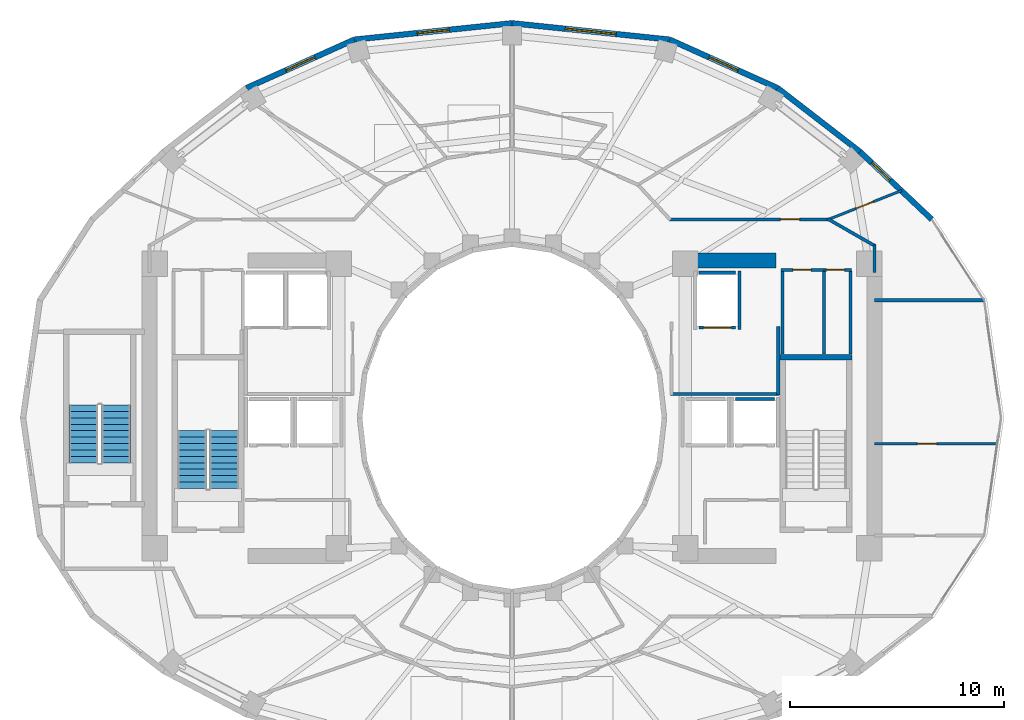
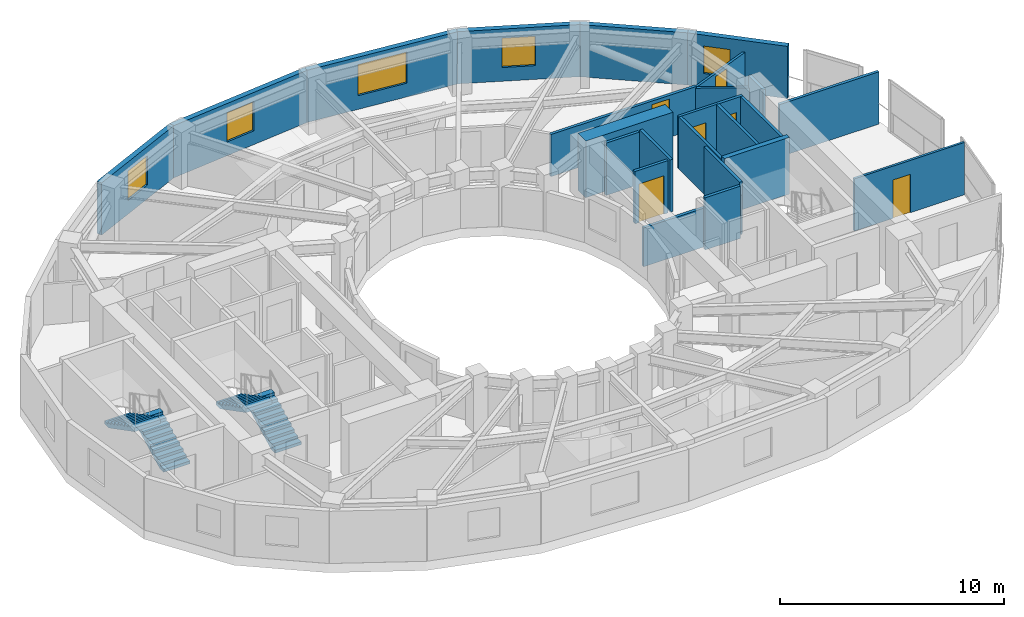
# One storey, part 9 of 13: 25 walls, 6 doors, 5 windows, 4 stair flights, 11 openings, 2 elements without a shape of their own.
"""IFC4 building model written with IfcOpenShell, lengths in metres."""

from ifc_helpers import new_model, si_unit, direction, frame, frame_2d, origin, place, context, subcontext, project, spatial, polyline, rectangle, outline, extrude, material, layer, layer_set, type_object, element, fill, aggregate, save


model = new_model("IFC4")

# Units and contexts
model_context = context("Model", 3, precision=1e-05, world=origin(), true_north=direction((0.0, 1.0)))
body_context = subcontext(model_context, "Body", "Model", "MODEL_VIEW")
ifc_project = project(units=[si_unit("LENGTHUNIT", "METRE"), si_unit("AREAUNIT", "SQUARE_METRE"), si_unit("VOLUMEUNIT", "CUBIC_METRE"), si_unit("PLANEANGLEUNIT", "RADIAN"), si_unit("MASSUNIT", "GRAM", prefix="KILO")], contexts=[model_context])

# Site, building, storey
site_placement = place(None, origin())
site = spatial("IfcSite", under=ifc_project, at=site_placement, CompositionType="ELEMENT")
building_placement = place(site_placement, origin())
building = spatial("IfcBuilding", under=site, at=building_placement, Name="Solvane Sanctuary Tower", CompositionType="ELEMENT")
storey_placement = place(building_placement, frame((0.0, 0.0, 152.89990234375)))
storey = spatial("IfcBuildingStorey", under=building, at=storey_placement, Name="L46", CompositionType="ELEMENT", Elevation=152.89990234375)

# Walls
ifc_material_1 = material(Name="Concrete C60/75", Category="concrete")
ifc_layer_1 = layer(ifc_material_1, 0.699951171875, Name="Concrete C60/75")
ifc_layer_set_1 = layer_set([ifc_layer_1], Name="Concrete C60/75")
wall_type_1 = type_object("IfcWallType", Name="Wall W-CORE-700", PredefinedType="SHEAR", material=ifc_layer_set_1)
wall_1_placement = place(storey_placement, frame((39.85009765625, 30.35009765625, 0.0), z_axis=(0.0, 0.0, 1.0), x_axis=(1.0, 0.0, 0.0)))
element("IfcWall", 1, at=wall_1_placement, inside=storey, type_object=wall_type_1, Name="L46 Core Shear Wall EC-N", PredefinedType="SHEAR", context=body_context, shape_type="SweptSolid", body=[
    extrude(rectangle(XDim=4.5, YDim=0.699951171875, at=frame_2d((2.25, 0.0))), origin(), (0.0, 0.0, 1.0), 3.10009765625),
])
ifc_material_2 = material(Name="Acoustic Gypsum Partition Board")
ifc_layer_2 = layer(ifc_material_2, 0.14990234375, Name="Acoustic Gypsum Partition Board")
ifc_layer_set_2 = layer_set([ifc_layer_2], Name="Acoustic Gypsum Partition Board")
wall_type_2 = type_object("IfcWallType", Name="Wall W-CORR-150", PredefinedType="PARTITIONING", material=ifc_layer_set_2)
wall_2_placement = place(storey_placement, frame((39.39990234375, 24.1201171875, 0.0), z_axis=(0.0, 0.0, 1.0), x_axis=(1.0, 0.0, 0.0)))
element("IfcWall", 2, at=wall_2_placement, inside=storey, type_object=wall_type_2, Name="L46 East Firefighting Lobby South Wall", PredefinedType="PARTITIONING", context=body_context, shape_type="SweptSolid", body=[
    extrude(rectangle(XDim=5.080078125, YDim=0.14990234375, at=frame_2d((2.5400390625, 0.0))), origin(), (0.0, 0.0, 1.0), 2.1201171875),
])
wall_3_placement = place(storey_placement, frame((44.449951171875, 24.080078125, 0.0), z_axis=(0.0, 0.0, 1.0), x_axis=(0.0, 1.0, 0.0)))
element("IfcWall", 3, at=wall_3_placement, inside=storey, type_object=wall_type_2, Name="L46 East Firefighting Lobby East Wall", PredefinedType="PARTITIONING", context=body_context, shape_type="SweptSolid", body=[
    extrude(rectangle(XDim=3.199951171875, YDim=0.14990234375, at=frame_2d((1.60009765625, 0.0))), origin(), (0.0, 0.0, 1.0), 2.85498046875),
])
wall_4_placement = place(storey_placement, frame((48.949951171875, 28.5029296875, 0.0), z_axis=(0.0, 0.0, 1.0), x_axis=(1.0, 0.0, 0.0)))
element("IfcWall", 4, at=wall_4_placement, inside=storey, type_object=wall_type_2, Name="L46 East Shoulder North Wall", PredefinedType="PARTITIONING", context=body_context, shape_type="SweptSolid", body=[
    extrude(rectangle(XDim=5.14013671875, YDim=0.14990234375, at=frame_2d((2.570068359375, 0.0))), origin(), (0.0, 0.0, 1.0), 2.85498046875),
])
wall_5_placement = place(storey_placement, frame((48.949951171875, 29.800048828125, 0.0), z_axis=(0.0, 0.0, 1.0), x_axis=(0.0, 1.0, 0.0)))
element("IfcWall", 5, at=wall_5_placement, inside=storey, type_object=wall_type_2, Name="L46 NE Corner Closer 1", PredefinedType="PARTITIONING", context=body_context, shape_type="SweptSolid", body=[
    extrude(rectangle(XDim=1.2900390625, YDim=0.14990234375, at=frame_2d((0.64501953125, 0.0))), origin(), (0.0, 0.0, 1.0), 2.85498046875),
])

# Wall, opening, door
wall_6_placement = place(storey_placement, frame((39.330078125, 32.280029296875, 0.0), z_axis=(0.0, 0.0, 1.0), x_axis=(1.0, 0.0, 0.0)))
wall_6 = element("IfcWall", 6, at=wall_6_placement, inside=storey, type_object=wall_type_2, Name="L46 NE Corner Corridor Wall", PredefinedType="PARTITIONING", context=body_context, shape_type="SweptSolid", body=[
    extrude(rectangle(XDim=7.52001953125, YDim=0.14990234375, at=frame_2d((3.760009765625, 0.0))), origin(), (0.0, 0.0, 1.0), 2.299072265625),
])
opening_1_placement = place(wall_6_placement, frame((5.219970703125, 0.0, 0.0)))
opening_1 = element("IfcOpeningElement", 7, at=opening_1_placement, cuts=wall_6, Name="Opening D-L46-15", PredefinedType="OPENING", context=body_context, shape_type="SweptSolid", body=[
    extrude(rectangle(XDim=0.89990234375, YDim=2.10009765625, at=frame_2d((0.449951171875, 1.050048828125))), frame((0.0, 0.0849609375, 0.0), z_axis=(0.0, -1.0, 0.0), x_axis=(1.0, 0.0, 0.0)), (0.0, 0.0, 1.0), 0.169921875),
])
ifc_material_3 = material(Name="Engineered Tropical Hardwood", Category="wood")
door_type_1 = type_object("IfcDoorType", Name="Door D-WET-900", OperationType="NOTDEFINED", PredefinedType="DOOR", material=ifc_material_3)
door_1_placement = place(opening_1_placement, origin())
door_1 = element("IfcDoor", 8, at=door_1_placement, inside=storey, type_object=door_type_1, Name="L46 NE Corner Salon Door", OperationType="SINGLE_SWING_LEFT", OverallHeight=2.10009765625, OverallWidth=0.89990234375, PredefinedType="DOOR", context=body_context, shape_type="SweptSolid", body=[
    extrude(rectangle(XDim=0.89990234375, YDim=2.10009765625, at=frame_2d((0.449951171875, 1.050048828125))), frame((0.0, 0.02490234375, 0.0), z_axis=(0.0, -1.0, 0.0), x_axis=(1.0, 0.0, 0.0)), (0.0, 0.0, 1.0), 0.050048828125),
])
fill(opening_1, door_1)

# Wall
wall_7_placement = place(storey_placement, frame((46.756591796875, 32.3046875, 0.0), z_axis=(0.0, 0.0, 1.0), x_axis=(0.867991349648, -0.496579315857, 0.0)))
element("IfcWall", 9, at=wall_7_placement, inside=storey, type_object=wall_type_2, Name="L46 NE Corner Wing Wall", PredefinedType="PARTITIONING", context=body_context, shape_type="SweptSolid", body=[
    extrude(rectangle(XDim=2.56689453125, YDim=0.14990234375, at=frame_2d((1.283447265625, 0.0))), origin(), (0.0, 0.0, 1.0), 2.22021484375),
])

# Wall, opening, window
ifc_material_4 = material(Name="Precast concrete C40/50", Category="concrete")
ifc_layer_3 = layer(ifc_material_4, 0.260009765625, Name="Precast concrete C40/50")
ifc_layer_set_3 = layer_set([ifc_layer_3], Name="Precast concrete C40/50")
wall_type_3 = type_object("IfcWallType", Name="Wall W-EXT-250", PredefinedType="STANDARD", material=ifc_layer_set_3)
wall_8_placement = place(storey_placement, frame((51.619140625, 32.28369140625, 0.0), z_axis=(0.0, 0.0, 1.0), x_axis=(-0.727667301037, 0.68593024354, 0.0)))
wall_8 = element("IfcWall", 10, at=wall_8_placement, inside=storey, type_object=wall_type_3, Name="L46 Ceramic-Printed Facade Wall 02", PredefinedType="STANDARD", context=body_context, shape_type="SweptSolid", body=[
    extrude(rectangle(XDim=4.603515625, YDim=0.260009765625, at=frame_2d((2.3017578125, 0.0))), origin(), (0.0, 0.0, 1.0), 2.85009765625),
])
opening_2_placement = place(wall_8_placement, frame((2.65185546875, 0.0, 0.75)))
opening_2 = element("IfcOpeningElement", 11, at=opening_2_placement, cuts=wall_8, Name="Opening WN-OPER-1200", PredefinedType="OPENING", context=body_context, shape_type="SweptSolid", body=[
    extrude(rectangle(XDim=1.199951171875, YDim=1.5, at=frame_2d((0.60009765625, 0.75))), frame((0.0, 0.139892578125, 0.0), z_axis=(0.0, -1.0, 0.0), x_axis=(1.0, 0.0, 0.0)), (0.0, 0.0, 1.0), 0.280029296875),
])
ifc_material_5 = material(Name="Dark Ceramic-Fritted Low-E Glass", Category="glass")
window_type_1 = type_object("IfcWindowType", Name="Window WN-OPER-1200", PartitioningType="SINGLE_PANEL", PredefinedType="WINDOW", material=ifc_material_5)
window_1_placement = place(opening_2_placement, origin())
window_1 = element("IfcWindow", 12, at=window_1_placement, inside=storey, type_object=window_type_1, Name="L46 Operable Facade Window 02", OverallHeight=1.5, OverallWidth=1.199951171875, PartitioningType="SINGLE_PANEL", PredefinedType="WINDOW", context=body_context, shape_type="SweptSolid", body=[
    extrude(rectangle(XDim=1.199951171875, YDim=1.5, at=frame_2d((0.60009765625, 0.75))), frame((0.0, 0.030029296875, 0.0), z_axis=(0.0, -1.0, 0.0), x_axis=(1.0, 0.0, 0.0)), (0.0, 0.0, 1.0), 0.06005859375),
])
fill(opening_2, window_1)

# Wall
wall_9_placement = place(storey_placement, frame((48.269287109375, 35.44140625, 0.0), z_axis=(0.0, 0.0, 1.0), x_axis=(-0.791460185804, 0.611220724687, 0.0)))
element("IfcWall", 13, at=wall_9_placement, inside=storey, type_object=wall_type_3, Name="L46 Ceramic-Printed Facade Wall 03", PredefinedType="STANDARD", context=body_context, shape_type="SweptSolid", body=[
    extrude(rectangle(XDim=4.872314453125, YDim=0.260009765625, at=frame_2d((2.43603515625, 0.0))), origin(), (0.0, 0.0, 1.0), 2.85009765625),
])

# Wall, opening, window
wall_10_placement = place(storey_placement, frame((44.4130859375, 38.41943359375, 0.0), z_axis=(0.0, 0.0, 1.0), x_axis=(-0.912353637112, 0.409403029847, 0.0)))
wall_10 = element("IfcWall", 14, at=wall_10_placement, inside=storey, type_object=wall_type_3, Name="L46 Ceramic-Printed Facade Wall 04", PredefinedType="STANDARD", context=body_context, shape_type="SweptSolid", body=[
    extrude(rectangle(XDim=5.53271484375, YDim=0.260009765625, at=frame_2d((2.766357421875, 0.0))), origin(), (0.0, 0.0, 1.0), 2.85009765625),
])
opening_3_placement = place(wall_10_placement, frame((2.016357421875, 0.0, 0.75)))
opening_3 = element("IfcOpeningElement", 15, at=opening_3_placement, cuts=wall_10, Name="Opening WN-OPER-1500", PredefinedType="OPENING", context=body_context, shape_type="SweptSolid", body=[
    extrude(rectangle(XDim=1.5, YDim=1.60009765625, at=frame_2d((0.75, 0.800048828125))), frame((0.0, 0.139892578125, 0.0), z_axis=(0.0, -1.0, 0.0), x_axis=(1.0, 0.0, 0.0)), (0.0, 0.0, 1.0), 0.280029296875),
])
window_type_2 = type_object("IfcWindowType", Name="Window WN-OPER-1500", PartitioningType="SINGLE_PANEL", PredefinedType="WINDOW", material=ifc_material_5)
window_2_placement = place(opening_3_placement, origin())
window_2 = element("IfcWindow", 16, at=window_2_placement, inside=storey, type_object=window_type_2, Name="L46 Operable Facade Window 04", OverallHeight=1.60009765625, OverallWidth=1.5, PartitioningType="SINGLE_PANEL", PredefinedType="WINDOW", context=body_context, shape_type="SweptSolid", body=[
    extrude(rectangle(XDim=1.5, YDim=1.60009765625, at=frame_2d((0.75, 0.800048828125))), frame((0.0, 0.030029296875, 0.0), z_axis=(0.0, -1.0, 0.0), x_axis=(1.0, 0.0, 0.0)), (0.0, 0.0, 1.0), 0.06005859375),
])
fill(opening_3, window_2)

wall_11_placement = place(storey_placement, frame((39.365234375, 40.6845703125, 0.0), z_axis=(0.0, 0.0, 1.0), x_axis=(-0.994664178965, 0.10316574569, 0.0)))
wall_11 = element("IfcWall", 17, at=wall_11_placement, inside=storey, type_object=wall_type_3, Name="L46 Ceramic-Printed Facade Wall 05", PredefinedType="STANDARD", context=body_context, shape_type="SweptSolid", body=[
    extrude(rectangle(XDim=7.40478515625, YDim=0.260009765625, at=frame_2d((3.702392578125, 0.0))), origin(), (0.0, 0.0, 1.0), 2.85009765625),
])
opening_4_placement = place(wall_11_placement, frame((2.50244140625, 0.0, 0.75)))
opening_4 = element("IfcOpeningElement", 18, at=opening_4_placement, cuts=wall_11, Name="Opening WN-RIB-2400", PredefinedType="OPENING", context=body_context, shape_type="SweptSolid", body=[
    extrude(rectangle(XDim=2.39990234375, YDim=1.699951171875, at=frame_2d((1.199951171875, 0.85009765625))), frame((0.0, 0.139892578125, 0.0), z_axis=(0.0, -1.0, 0.0), x_axis=(1.0, 0.0, 0.0)), (0.0, 0.0, 1.0), 0.280029296875),
])
window_type_3 = type_object("IfcWindowType", Name="Window WN-RIB-2400", PartitioningType="SINGLE_PANEL", PredefinedType="WINDOW", material=ifc_material_5)
window_3_placement = place(opening_4_placement, origin())
window_3 = element("IfcWindow", 19, at=window_3_placement, inside=storey, type_object=window_type_3, Name="L46 Operable Facade Window 05", OverallHeight=1.699951171875, OverallWidth=2.39990234375, PartitioningType="SINGLE_PANEL", PredefinedType="WINDOW", context=body_context, shape_type="SweptSolid", body=[
    extrude(rectangle(XDim=2.39990234375, YDim=1.699951171875, at=frame_2d((1.199951171875, 0.85009765625))), frame((0.0, 0.030029296875, 0.0), z_axis=(0.0, -1.0, 0.0), x_axis=(1.0, 0.0, 0.0)), (0.0, 0.0, 1.0), 0.06005859375),
])
fill(opening_4, window_3)

wall_12_placement = place(storey_placement, frame((32.0, 41.448486328125, 0.0), z_axis=(0.0, 0.0, 1.0), x_axis=(-0.994664178965, -0.10316574569, 0.0)))
wall_12 = element("IfcWall", 20, at=wall_12_placement, inside=storey, type_object=wall_type_3, Name="L46 Ceramic-Printed Facade Wall 06", PredefinedType="STANDARD", context=body_context, shape_type="SweptSolid", body=[
    extrude(rectangle(XDim=7.40478515625, YDim=0.260009765625, at=frame_2d((3.702392578125, 0.0))), origin(), (0.0, 0.0, 1.0), 2.85009765625),
])
opening_5_placement = place(wall_12_placement, frame((2.952392578125, 0.0, 0.75)))
opening_5 = element("IfcOpeningElement", 21, at=opening_5_placement, cuts=wall_12, Name="Opening WN-OPER-1500", PredefinedType="OPENING", context=body_context, shape_type="SweptSolid", body=[
    extrude(rectangle(XDim=1.5, YDim=1.60009765625, at=frame_2d((0.75, 0.800048828125))), frame((0.0, 0.139892578125, 0.0), z_axis=(0.0, -1.0, 0.0), x_axis=(1.0, 0.0, 0.0)), (0.0, 0.0, 1.0), 0.280029296875),
])
window_4_placement = place(opening_5_placement, origin())
window_4 = element("IfcWindow", 22, at=window_4_placement, inside=storey, type_object=window_type_2, Name="L46 Operable Facade Window 06", OverallHeight=1.60009765625, OverallWidth=1.5, PartitioningType="SINGLE_PANEL", PredefinedType="WINDOW", context=body_context, shape_type="SweptSolid", body=[
    extrude(rectangle(XDim=1.5, YDim=1.60009765625, at=frame_2d((0.75, 0.800048828125))), frame((0.0, 0.030029296875, 0.0), z_axis=(0.0, -1.0, 0.0), x_axis=(1.0, 0.0, 0.0)), (0.0, 0.0, 1.0), 0.06005859375),
])
fill(opening_5, window_4)

wall_13_placement = place(storey_placement, frame((24.634765625, 40.6845703125, 0.0), z_axis=(0.0, 0.0, 1.0), x_axis=(-0.912353637112, -0.409403029847, 0.0)))
wall_13 = element("IfcWall", 23, at=wall_13_placement, inside=storey, type_object=wall_type_3, Name="L46 Ceramic-Printed Facade Wall 07", PredefinedType="STANDARD", context=body_context, shape_type="SweptSolid", body=[
    extrude(rectangle(XDim=5.53271484375, YDim=0.260009765625, at=frame_2d((2.766357421875, 0.0))), origin(), (0.0, 0.0, 1.0), 2.85009765625),
])
opening_6_placement = place(wall_13_placement, frame((2.016357421875, 0.0, 0.75)))
opening_6 = element("IfcOpeningElement", 24, at=opening_6_placement, cuts=wall_13, Name="Opening WN-OPER-1500", PredefinedType="OPENING", context=body_context, shape_type="SweptSolid", body=[
    extrude(rectangle(XDim=1.5, YDim=1.60009765625, at=frame_2d((0.75, 0.800048828125))), frame((0.0, 0.139892578125, 0.0), z_axis=(0.0, -1.0, 0.0), x_axis=(1.0, 0.0, 0.0)), (0.0, 0.0, 1.0), 0.280029296875),
])
window_5_placement = place(opening_6_placement, origin())
window_5 = element("IfcWindow", 25, at=window_5_placement, inside=storey, type_object=window_type_2, Name="L46 Operable Facade Window 07", OverallHeight=1.60009765625, OverallWidth=1.5, PartitioningType="SINGLE_PANEL", PredefinedType="WINDOW", context=body_context, shape_type="SweptSolid", body=[
    extrude(rectangle(XDim=1.5, YDim=1.60009765625, at=frame_2d((0.75, 0.800048828125))), frame((0.0, 0.030029296875, 0.0), z_axis=(0.0, -1.0, 0.0), x_axis=(1.0, 0.0, 0.0)), (0.0, 0.0, 1.0), 0.06005859375),
])
fill(opening_6, window_5)

# Wall, opening, door
ifc_layer_4 = layer(ifc_material_2, 0.1201171875, Name="Acoustic Gypsum Partition Board")
ifc_layer_set_4 = layer_set([ifc_layer_4], Name="Acoustic Gypsum Partition Board")
wall_type_4 = type_object("IfcWallType", Name="Wall W-MOV-100", PredefinedType="MOVABLE", material=ifc_layer_set_4)
wall_14_placement = place(storey_placement, frame((48.949951171875, 21.800048828125, 0.0), z_axis=(0.0, 0.0, 1.0), x_axis=(1.0, 0.0, 0.0)))
wall_14 = element("IfcWall", 26, at=wall_14_placement, inside=storey, type_object=wall_type_4, Name="L46 East Suite Partition", PredefinedType="MOVABLE", context=body_context, shape_type="SweptSolid", body=[
    extrude(rectangle(XDim=5.69775390625, YDim=0.1201171875, at=frame_2d((2.848876953125, 0.0))), origin(), (0.0, 0.0, 1.0), 2.85498046875),
])
opening_7_placement = place(wall_14_placement, frame((2.0, 0.0, 0.0)))
opening_7 = element("IfcOpeningElement", 27, at=opening_7_placement, cuts=wall_14, Name="Opening D-L46-13", PredefinedType="OPENING", context=body_context, shape_type="SweptSolid", body=[
    extrude(rectangle(XDim=0.89990234375, YDim=2.10009765625, at=frame_2d((0.449951171875, 1.050048828125))), frame((0.0, 0.070068359375, 0.0), z_axis=(0.0, -1.0, 0.0), x_axis=(1.0, 0.0, 0.0)), (0.0, 0.0, 1.0), 0.14013671875),
])
door_2_placement = place(opening_7_placement, origin())
door_2 = element("IfcDoor", 28, at=door_2_placement, inside=storey, type_object=door_type_1, Name="L46 East Suite Internal Door", OperationType="SINGLE_SWING_LEFT", OverallHeight=2.10009765625, OverallWidth=0.89990234375, PredefinedType="DOOR", context=body_context, shape_type="SweptSolid", body=[
    extrude(rectangle(XDim=0.89990234375, YDim=2.10009765625, at=frame_2d((0.449951171875, 1.050048828125))), frame((0.0, 0.02490234375, 0.0), z_axis=(0.0, -1.0, 0.0), x_axis=(1.0, 0.0, 0.0)), (0.0, 0.0, 1.0), 0.050048828125),
])
fill(opening_7, door_2)

wall_15_placement = place(storey_placement, frame((46.75341796875, 32.26171875, 0.0), z_axis=(0.0, 0.0, 1.0), x_axis=(0.930204027108, 0.367042869367, 0.0)))
wall_15 = element("IfcWall", 29, at=wall_15_placement, inside=storey, type_object=wall_type_4, Name="L46 NE Corner Suite Partition", PredefinedType="MOVABLE", context=body_context, shape_type="SweptSolid", body=[
    extrude(rectangle(XDim=3.73095703125, YDim=0.1201171875, at=frame_2d((1.865478515625, 0.0))), origin(), (0.0, 0.0, 1.0), 2.22021484375),
])
opening_8_placement = place(wall_15_placement, frame((1.4404296875, 0.0, 0.0)))
opening_8 = element("IfcOpeningElement", 30, at=opening_8_placement, cuts=wall_15, Name="Opening D-L46-14", PredefinedType="OPENING", context=body_context, shape_type="SweptSolid", body=[
    extrude(rectangle(XDim=0.85009765625, YDim=2.050048828125, at=frame_2d((0.425048828125, 1.02490234375))), frame((0.0, 0.070068359375, 0.0), z_axis=(0.0, -1.0, 0.0), x_axis=(1.0, 0.0, 0.0)), (0.0, 0.0, 1.0), 0.14013671875),
])
ifc_material_6 = material(Name="Architectural Stainless Steel 316", Category="steel")
door_type_2 = type_object("IfcDoorType", Name="Door D-RISER", OperationType="NOTDEFINED", PredefinedType="DOOR", material=ifc_material_6)
door_3_placement = place(opening_8_placement, origin())
door_3 = element("IfcDoor", 31, at=door_3_placement, inside=storey, type_object=door_type_2, Name="L46 NE Corner Suite Door", OperationType="SINGLE_SWING_RIGHT", OverallHeight=2.050048828125, OverallWidth=0.85009765625, PredefinedType="DOOR", context=body_context, shape_type="SweptSolid", body=[
    extrude(rectangle(XDim=0.85009765625, YDim=2.050048828125, at=frame_2d((0.425048828125, 1.02490234375))), frame((0.0, 0.02490234375, 0.0), z_axis=(0.0, -1.0, 0.0), x_axis=(1.0, 0.0, 0.0)), (0.0, 0.0, 1.0), 0.050048828125),
])
fill(opening_8, door_3)

# Wall
ifc_material_7 = material(Name="Concrete C50/60", Category="concrete")
ifc_layer_5 = layer(ifc_material_7, 0.14990234375, Name="Concrete C50/60")
ifc_layer_set_5 = layer_set([ifc_layer_5], Name="Concrete C50/60")
wall_type_5 = type_object("IfcWallType", Name="Wall W-SHAFT-150", PredefinedType="SOLIDWALL", material=ifc_layer_set_5)
wall_16_placement = place(storey_placement, frame((42.43994140625, 23.8798828125, 0.0), z_axis=(0.0, 0.0, 1.0), x_axis=(1.0, 0.0, 0.0)))
element("IfcWall", 32, at=wall_16_placement, inside=storey, type_object=wall_type_5, Name="L46 PM-2 Lift Shaft Wall B", PredefinedType="SOLIDWALL", context=body_context, shape_type="SweptSolid", body=[
    extrude(rectangle(XDim=1.820068359375, YDim=0.14990234375, at=frame_2d((0.91015625, 0.0))), origin(), (0.0, 0.0, 1.0), 2.85498046875),
])

# Wall, opening, door
wall_17_placement = place(storey_placement, frame((40.739990234375, 27.219970703125, 0.0), z_axis=(0.0, 0.0, 1.0), x_axis=(1.0, 0.0, 0.0)))
wall_17 = element("IfcWall", 33, at=wall_17_placement, inside=storey, type_object=wall_type_5, Name="L46 FFL-2 Lift Shaft Wall F", PredefinedType="SOLIDWALL", context=body_context, shape_type="SweptSolid", body=[
    extrude(rectangle(XDim=1.719970703125, YDim=0.14990234375, at=frame_2d((0.85986328125, 0.0))), origin(), (0.0, 0.0, 1.0), 2.85498046875),
])
opening_9_placement = place(wall_17_placement, frame((0.2099609375, 0.0, 0.0)))
opening_9 = element("IfcOpeningElement", 34, at=opening_9_placement, cuts=wall_17, Name="Opening LD-L46-05", PredefinedType="OPENING", context=body_context, shape_type="SweptSolid", body=[
    extrude(rectangle(XDim=1.300048828125, YDim=2.10009765625, at=frame_2d((0.64990234375, 1.050048828125))), frame((0.0, 0.0849609375, 0.0), z_axis=(0.0, -1.0, 0.0), x_axis=(1.0, 0.0, 0.0)), (0.0, 0.0, 1.0), 0.169921875),
])
door_type_3 = type_object("IfcDoorType", Name="Door LD-FFL-1300", OperationType="NOTDEFINED", PredefinedType="DOOR", material=ifc_material_6)
door_4_placement = place(opening_9_placement, origin())
door_4 = element("IfcDoor", 35, at=door_4_placement, inside=storey, type_object=door_type_3, Name="L46 FFL-2 Lift Landing Door", OperationType="DOUBLE_DOOR_SLIDING", OverallHeight=2.10009765625, OverallWidth=1.300048828125, PredefinedType="DOOR", context=body_context, shape_type="SweptSolid", body=[
    extrude(rectangle(XDim=1.300048828125, YDim=2.10009765625, at=frame_2d((0.64990234375, 1.050048828125))), frame((0.0, 0.02490234375, 0.0), z_axis=(0.0, -1.0, 0.0), x_axis=(1.0, 0.0, 0.0)), (0.0, 0.0, 1.0), 0.050048828125),
])
fill(opening_9, door_4)

# Walls
wall_18_placement = place(storey_placement, frame((40.739990234375, 29.780029296875, 0.0), z_axis=(0.0, 0.0, 1.0), x_axis=(1.0, 0.0, 0.0)))
element("IfcWall", 36, at=wall_18_placement, inside=storey, type_object=wall_type_5, Name="L46 FFL-2 Lift Shaft Wall B", PredefinedType="SOLIDWALL", context=body_context, shape_type="SweptSolid", body=[
    extrude(rectangle(XDim=1.719970703125, YDim=0.14990234375, at=frame_2d((0.85986328125, 0.0))), origin(), (0.0, 0.0, 1.0), 2.85498046875),
])
wall_19_placement = place(storey_placement, frame((42.6298828125, 27.139892578125, 0.0), z_axis=(0.0, 0.0, 1.0), x_axis=(0.0, 1.0, 0.0)))
element("IfcWall", 37, at=wall_19_placement, inside=storey, type_object=wall_type_5, Name="L46 FFL-2 Lift Shaft Wall S2", PredefinedType="SOLIDWALL", context=body_context, shape_type="SweptSolid", body=[
    extrude(rectangle(XDim=2.72021484375, YDim=0.14990234375, at=frame_2d((1.360107421875, 0.0))), origin(), (0.0, 0.0, 1.0), 2.85498046875),
])
ifc_layer_6 = layer(ifc_material_7, 0.25, Name="Concrete C50/60")
ifc_layer_set_6 = layer_set([ifc_layer_6], Name="Concrete C50/60")
wall_type_6 = type_object("IfcWallType", Name="Wall W-SHAFT-250", PredefinedType="SOLIDWALL", material=ifc_layer_set_6)
wall_20_placement = place(storey_placement, frame((44.52490234375, 25.830078125, 0.0), z_axis=(0.0, 0.0, 1.0), x_axis=(1.0, 0.0, 0.0)))
element("IfcWall", 38, at=wall_20_placement, inside=storey, type_object=wall_type_6, Name="L46 ST-2 Load-Bearing Shaft Wall N", PredefinedType="SOLIDWALL", context=body_context, shape_type="SweptSolid", body=[
    extrude(rectangle(XDim=3.3701171875, YDim=0.25, at=frame_2d((1.68505859375, 0.0))), origin(), (0.0, 0.0, 1.0), 3.10009765625),
])

# Wall, opening, door
ifc_layer_7 = layer(ifc_material_2, 0.139892578125, Name="Acoustic Gypsum Partition Board")
ifc_layer_set_7 = layer_set([ifc_layer_7], Name="Acoustic Gypsum Partition Board")
wall_type_7 = type_object("IfcWallType", Name="Wall W-WET-140", PredefinedType="PLUMBINGWALL", material=ifc_layer_set_7)
wall_21_placement = place(storey_placement, frame((44.580078125, 29.919921875, 0.0), z_axis=(0.0, 0.0, 1.0), x_axis=(1.0, 0.0, 0.0)))
wall_21 = element("IfcWall", 39, at=wall_21_placement, inside=storey, type_object=wall_type_7, Name="L46 Core Service Front Wall KE1", PredefinedType="PLUMBINGWALL", context=body_context, shape_type="SweptSolid", body=[
    extrude(rectangle(XDim=2.0, YDim=0.139892578125, at=frame_2d((1.0, 0.0))), origin(), (0.0, 0.0, 1.0), 2.85498046875),
])
opening_10_placement = place(wall_21_placement, frame((0.550048828125, 0.0, 0.0)))
opening_10 = element("IfcOpeningElement", 40, at=opening_10_placement, cuts=wall_21, Name="Opening D-L46-10", PredefinedType="OPENING", context=body_context, shape_type="SweptSolid", body=[
    extrude(rectangle(XDim=0.85009765625, YDim=2.050048828125, at=frame_2d((0.425048828125, 1.02490234375))), frame((0.0, 0.079833984375, 0.0), z_axis=(0.0, -1.0, 0.0), x_axis=(1.0, 0.0, 0.0)), (0.0, 0.0, 1.0), 0.159912109375),
])
door_5_placement = place(opening_10_placement, origin())
door_5 = element("IfcDoor", 41, at=door_5_placement, inside=storey, type_object=door_type_2, Name="L46 Core Service Room Door KE1-1", OperationType="SINGLE_SWING_RIGHT", OverallHeight=2.050048828125, OverallWidth=0.85009765625, PredefinedType="DOOR", context=body_context, shape_type="SweptSolid", body=[
    extrude(rectangle(XDim=0.85009765625, YDim=2.050048828125, at=frame_2d((0.425048828125, 1.02490234375))), frame((0.0, 0.02490234375, 0.0), z_axis=(0.0, -1.0, 0.0), x_axis=(1.0, 0.0, 0.0)), (0.0, 0.0, 1.0), 0.050048828125),
])
fill(opening_10, door_5)

# Walls
for number, where, z_axis, x_axis, name in (
    (42, (44.639892578125, 25.97998046875, 0.0), (0.0, 0.0, 1.0), (0.0, 1.0, 0.0), "L46 Core Service Side Wall KE1-1"),
    (43, (46.580078125, 25.97998046875, 0.0), (0.0, 0.0, 1.0), (0.0, 1.0, 0.0), "L46 Core Service Side Wall KE1-2"),
):
    element("IfcWall", number, at=place(storey_placement, frame(where, z_axis=z_axis, x_axis=x_axis)), inside=storey, type_object=wall_type_7, Name=name, PredefinedType="PLUMBINGWALL", context=body_context, shape_type="SweptSolid", body=[
        extrude(rectangle(XDim=3.880126953125, YDim=0.139892578125, at=frame_2d((1.93994140625, 0.0))), origin(), (0.0, 0.0, 1.0), 2.85498046875),
    ])

# Wall, opening, door
wall_22_placement = place(storey_placement, frame((46.580078125, 29.919921875, 0.0), z_axis=(0.0, 0.0, 1.0), x_axis=(1.0, 0.0, 0.0)))
wall_22 = element("IfcWall", 44, at=wall_22_placement, inside=storey, type_object=wall_type_7, Name="L46 Core Service Front Wall KE2", PredefinedType="PLUMBINGWALL", context=body_context, shape_type="SweptSolid", body=[
    extrude(rectangle(XDim=1.2998046875, YDim=0.139892578125, at=frame_2d((0.64990234375, 0.0))), origin(), (0.0, 0.0, 1.0), 2.85498046875),
])
opening_11_placement = place(wall_22_placement, frame((0.1201171875, 0.0, 0.0)))
opening_11 = element("IfcOpeningElement", 45, at=opening_11_placement, cuts=wall_22, Name="Opening D-L46-11", PredefinedType="OPENING", context=body_context, shape_type="SweptSolid", body=[
    extrude(rectangle(XDim=0.85009765625, YDim=2.050048828125, at=frame_2d((0.425048828125, 1.02490234375))), frame((0.0, 0.079833984375, 0.0), z_axis=(0.0, -1.0, 0.0), x_axis=(1.0, 0.0, 0.0)), (0.0, 0.0, 1.0), 0.159912109375),
])
door_6_placement = place(opening_11_placement, origin())
door_6 = element("IfcDoor", 46, at=door_6_placement, inside=storey, type_object=door_type_2, Name="L46 Core Service Room Door KE2-1", OperationType="SINGLE_SWING_LEFT", OverallHeight=2.050048828125, OverallWidth=0.85009765625, PredefinedType="DOOR", context=body_context, shape_type="SweptSolid", body=[
    extrude(rectangle(XDim=0.85009765625, YDim=2.050048828125, at=frame_2d((0.425048828125, 1.02490234375))), frame((0.0, 0.02490234375, 0.0), z_axis=(0.0, -1.0, 0.0), x_axis=(1.0, 0.0, 0.0)), (0.0, 0.0, 1.0), 0.050048828125),
])
fill(opening_11, door_6)

# Wall
wall_23_placement = place(storey_placement, frame((47.820068359375, 25.97998046875, 0.0), z_axis=(0.0, 0.0, 1.0), x_axis=(0.0, 1.0, 0.0)))
element("IfcWall", 47, at=wall_23_placement, inside=storey, type_object=wall_type_7, Name="L46 Core Service Side Wall KE2-1", PredefinedType="PLUMBINGWALL", context=body_context, shape_type="SweptSolid", body=[
    extrude(rectangle(XDim=3.880126953125, YDim=0.139892578125, at=frame_2d((1.93994140625, 0.0))), origin(), (0.0, 0.0, 1.0), 2.85498046875),
])

# Stair, stair flights
ifc_material_8 = material(Name="Concrete C45/55", Category="concrete")
stair_type = type_object("IfcStairType", Name="Stair ST-TOW", PredefinedType="HALF_TURN_STAIR", material=ifc_material_8)
stair_1_placement = place(storey_placement, origin())
stair_1 = element("IfcStair", 48, at=stair_1_placement, inside=storey, type_object=stair_type, Name="L46 Exit Stair ST-1 West Core", PredefinedType="HALF_TURN_STAIR")
stair_flight_type = type_object("IfcStairFlightType", Name="StairFlight SF-TOW", PredefinedType="STRAIGHT", material=ifc_material_8)
stair_flight_1_placement = place(storey_placement, frame((18.544921875, 19.699951171875, 0.0), z_axis=(0.0, 0.0, 1.0), x_axis=(0.0, 1.0, 0.0)))
stair_flight_1 = element("IfcStairFlight", 49, at=stair_flight_1_placement, type_object=stair_flight_type, Name="ST-1 flight 1", NumberOfRisers=10, NumberOfTreads=9, PredefinedType="STRAIGHT", RiserHeight=0.155, TreadLength=0.3, context=body_context, shape_type="SweptSolid", body=[
    extrude(outline(polyline([(0.0, 0.0), (0.0, 0.155029296875), (0.300048828125, 0.155029296875), (0.300048828125, 0.31005859375), (0.60009765625, 0.31005859375), (0.60009765625, 0.465087890625), (0.89990234375, 0.465087890625), (0.89990234375, 0.6201171875), (1.199951171875, 0.6201171875), (1.199951171875, 0.77490234375), (1.5, 0.77490234375), (1.5, 0.929931640625), (1.800048828125, 0.929931640625), (1.800048828125, 1.0849609375), (2.10009765625, 1.0849609375), (2.10009765625, 1.239990234375), (2.39990234375, 1.239990234375), (2.39990234375, 1.39501953125), (2.699951171875, 1.39501953125), (2.699951171875, 1.550048828125), (2.699951171875, 1.1923828125), (0.39208984375, 0.0), (0.0, 0.0)])), frame((0.0, 0.675048828125, 0.0), z_axis=(0.0, -1.0, 0.0), x_axis=(1.0, 0.0, 0.0)), (0.0, 0.0, 1.0), 1.35009765625),
])
stair_flight_2_placement = place(storey_placement, frame((17.034912109375, 22.39990234375, 1.550048828125), z_axis=(0.0, 0.0, 1.0), x_axis=(0.0, -1.0, 0.0)))
stair_flight_2 = element("IfcStairFlight", 50, at=stair_flight_2_placement, type_object=stair_flight_type, Name="ST-1 flight 2", NumberOfRisers=10, NumberOfTreads=9, PredefinedType="STRAIGHT", RiserHeight=0.155, TreadLength=0.3, context=body_context, shape_type="SweptSolid", body=[
    extrude(outline(polyline([(0.0, 0.0), (0.0, 0.155029296875), (0.300048828125, 0.155029296875), (0.300048828125, 0.31005859375), (0.60009765625, 0.31005859375), (0.60009765625, 0.465087890625), (0.89990234375, 0.465087890625), (0.89990234375, 0.6201171875), (1.199951171875, 0.6201171875), (1.199951171875, 0.77490234375), (1.5, 0.77490234375), (1.5, 0.929931640625), (1.800048828125, 0.929931640625), (1.800048828125, 1.0849609375), (2.10009765625, 1.0849609375), (2.10009765625, 1.239990234375), (2.39990234375, 1.239990234375), (2.39990234375, 1.39501953125), (2.699951171875, 1.39501953125), (2.699951171875, 1.550048828125), (2.699951171875, 1.1923828125), (0.39208984375, 0.0), (0.0, 0.0)])), frame((0.0, 0.675048828125, 0.0), z_axis=(0.0, -1.0, 0.0), x_axis=(1.0, 0.0, 0.0)), (0.0, 0.0, 1.0), 1.35009765625),
])
aggregate(stair_1, [stair_flight_1, stair_flight_2])

stair_2_placement = place(storey_placement, origin())
stair_2 = element("IfcStair", 51, at=stair_2_placement, inside=storey, type_object=stair_type, Name="L46 Exit Stair ST-3 Pilgrim Tower Stair", PredefinedType="HALF_TURN_STAIR")
stair_flight_3_placement = place(storey_placement, frame((13.485107421875, 20.89990234375, 0.0), z_axis=(0.0, 0.0, 1.0), x_axis=(0.0, 1.0, 0.0)))
stair_flight_3 = element("IfcStairFlight", 52, at=stair_flight_3_placement, type_object=stair_flight_type, Name="ST-3 flight 1", NumberOfRisers=10, NumberOfTreads=9, PredefinedType="STRAIGHT", RiserHeight=0.155, TreadLength=0.3, context=body_context, shape_type="SweptSolid", body=[
    extrude(outline(polyline([(0.0, 0.0), (0.0, 0.155029296875), (0.300048828125, 0.155029296875), (0.300048828125, 0.31005859375), (0.60009765625, 0.31005859375), (0.60009765625, 0.465087890625), (0.89990234375, 0.465087890625), (0.89990234375, 0.6201171875), (1.199951171875, 0.6201171875), (1.199951171875, 0.77490234375), (1.5, 0.77490234375), (1.5, 0.929931640625), (1.800048828125, 0.929931640625), (1.800048828125, 1.0849609375), (2.10009765625, 1.0849609375), (2.10009765625, 1.239990234375), (2.39990234375, 1.239990234375), (2.39990234375, 1.39501953125), (2.699951171875, 1.39501953125), (2.699951171875, 1.550048828125), (2.699951171875, 1.1923828125), (0.39208984375, 0.0), (0.0, 0.0)])), frame((0.0, 0.675048828125, 0.0), z_axis=(0.0, -1.0, 0.0), x_axis=(1.0, 0.0, 0.0)), (0.0, 0.0, 1.0), 1.35009765625),
])
stair_flight_4_placement = place(storey_placement, frame((11.97509765625, 23.60009765625, 1.550048828125), z_axis=(0.0, 0.0, 1.0), x_axis=(0.0, -1.0, 0.0)))
stair_flight_4 = element("IfcStairFlight", 53, at=stair_flight_4_placement, type_object=stair_flight_type, Name="ST-3 flight 2", NumberOfRisers=10, NumberOfTreads=9, PredefinedType="STRAIGHT", RiserHeight=0.155, TreadLength=0.3, context=body_context, shape_type="SweptSolid", body=[
    extrude(outline(polyline([(0.0, 0.0), (0.0, 0.155029296875), (0.300048828125, 0.155029296875), (0.300048828125, 0.31005859375), (0.60009765625, 0.31005859375), (0.60009765625, 0.465087890625), (0.89990234375, 0.465087890625), (0.89990234375, 0.6201171875), (1.199951171875, 0.6201171875), (1.199951171875, 0.77490234375), (1.5, 0.77490234375), (1.5, 0.929931640625), (1.800048828125, 0.929931640625), (1.800048828125, 1.0849609375), (2.10009765625, 1.0849609375), (2.10009765625, 1.239990234375), (2.39990234375, 1.239990234375), (2.39990234375, 1.39501953125), (2.699951171875, 1.39501953125), (2.699951171875, 1.550048828125), (2.699951171875, 1.1923828125), (0.39208984375, 0.0), (0.0, 0.0)])), frame((0.0, 0.675048828125, 0.0), z_axis=(0.0, -1.0, 0.0), x_axis=(1.0, 0.0, 0.0)), (0.0, 0.0, 1.0), 1.35009765625),
])
aggregate(stair_2, [stair_flight_3, stair_flight_4])

save(model, "model.ifc")
